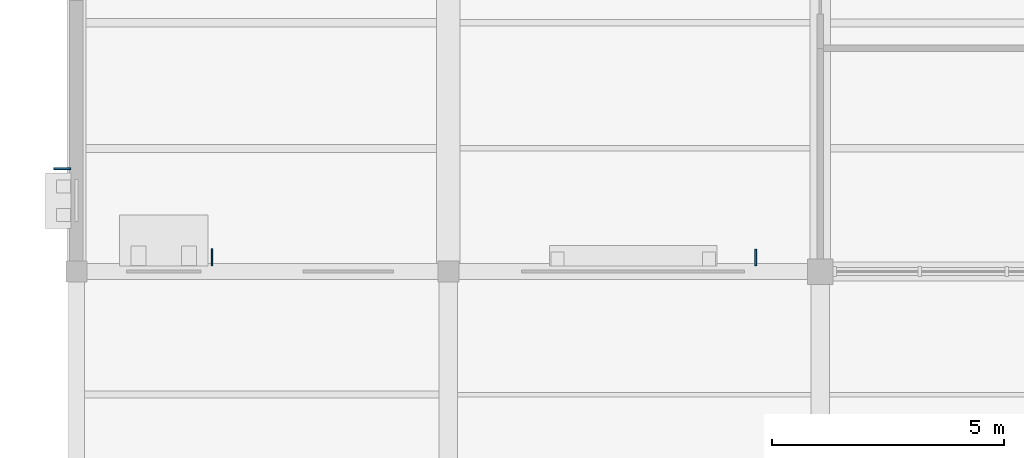
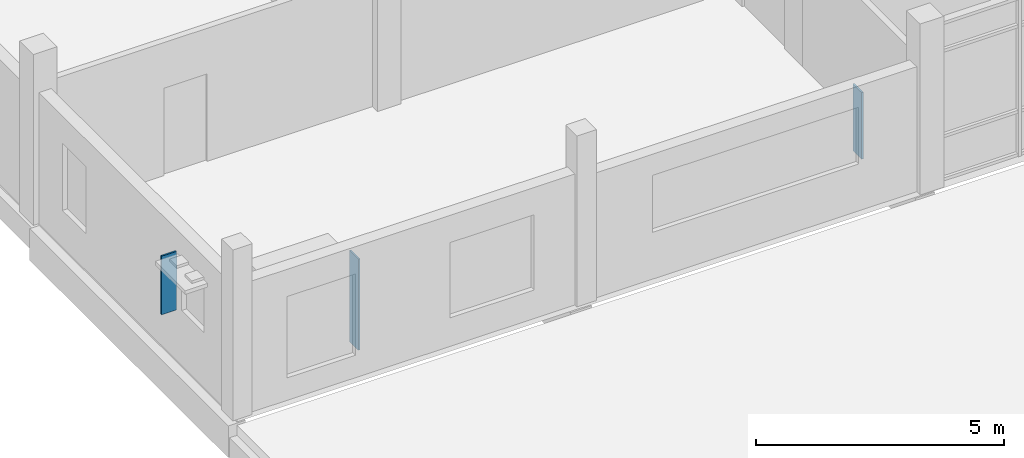
# One storey, part 33 of 44: 3 plates.
"""IFC4 building model written with IfcOpenShell, lengths in metres."""

from ifc_helpers import new_model, si_unit, direction, frame, origin, origin_2d, place, context, subcontext, project, spatial, rectangle, extrude, material, layer, layer_set, type_object, element, save


model = new_model("IFC4")

# Units and contexts
model_context = context("Model", 3, precision=1e-05, world=origin(), true_north=direction((0.0, 1.0)))
body_context = subcontext(model_context, "Body", "Model", "MODEL_VIEW")
ifc_project = project(units=[si_unit("LENGTHUNIT", "METRE"), si_unit("AREAUNIT", "SQUARE_METRE"), si_unit("VOLUMEUNIT", "CUBIC_METRE"), si_unit("PLANEANGLEUNIT", "RADIAN"), si_unit("MASSUNIT", "GRAM", prefix="KILO")], contexts=[model_context])

# Site, building, storey
site_placement = place(None, origin())
site = spatial("IfcSite", under=ifc_project, at=site_placement, CompositionType="ELEMENT")
building_placement = place(site_placement, origin())
building = spatial("IfcBuilding", under=site, at=building_placement, Name="Tenunan Teduh Sports Hall", CompositionType="ELEMENT")
storey_placement = place(building_placement, frame((0.0, 0.0, 19.199951171875)))
storey = spatial("IfcBuildingStorey", under=building, at=storey_placement, Name="L04", CompositionType="ELEMENT", Elevation=19.199951171875)

# Plates
ifc_material = material(Name="Anodised aluminium", Category="aluminium")
ifc_layer = layer(ifc_material, 1.89990234375)
ifc_layer_set = layer_set([ifc_layer], Name="Anodised aluminium")
plate_type = type_object("IfcPlateType", Name="PLT-FIN-1", PredefinedType="SHEET", material=ifc_layer_set)
plate_1_placement = place(storey_placement, frame((8.9150390625, 86.304931640625, 0.43017578125), z_axis=(0.0, 0.0, 1.0), x_axis=(1.0, 0.0, 0.0)))
element("IfcPlate", 1, at=plate_1_placement, inside=storey, type_object=plate_type, Name="PLT-FIN-L04-065", PredefinedType="SHEET", context=body_context, shape_type="SweptSolid", body=[
    extrude(rectangle(XDim=0.0400390625, YDim=0.360107421875, at=origin_2d()), origin(), (0.0, 0.0, 1.0), 2.239990234375),
])
plate_2_placement = place(storey_placement, frame((20.614990234375, 86.300048828125, 1.0302734375), z_axis=(0.0, 0.0, 1.0), x_axis=(1.0, 0.0, 0.0)))
element("IfcPlate", 2, at=plate_2_placement, inside=storey, type_object=plate_type, Name="PLT-FIN-L04-066", PredefinedType="SHEET", context=body_context, shape_type="SweptSolid", body=[
    extrude(rectangle(XDim=0.0400390625, YDim=0.360107421875, at=origin_2d()), origin(), (0.0, 0.0, 1.0), 1.639892578125),
])
plate_3_placement = place(storey_placement, frame((5.695068359375, 88.215087890625, 1.22998046875), z_axis=(0.0, 0.0, 1.0), x_axis=(0.0, 1.0, 0.0)))
element("IfcPlate", 3, at=plate_3_placement, inside=storey, type_object=plate_type, Name="PLT-FIN-L04-070", PredefinedType="SHEET", context=body_context, shape_type="SweptSolid", body=[
    extrude(rectangle(XDim=0.0400390625, YDim=0.360107421875, at=origin_2d()), origin(), (0.0, 0.0, 1.0), 1.43994140625),
])

save(model, "model.ifc")
